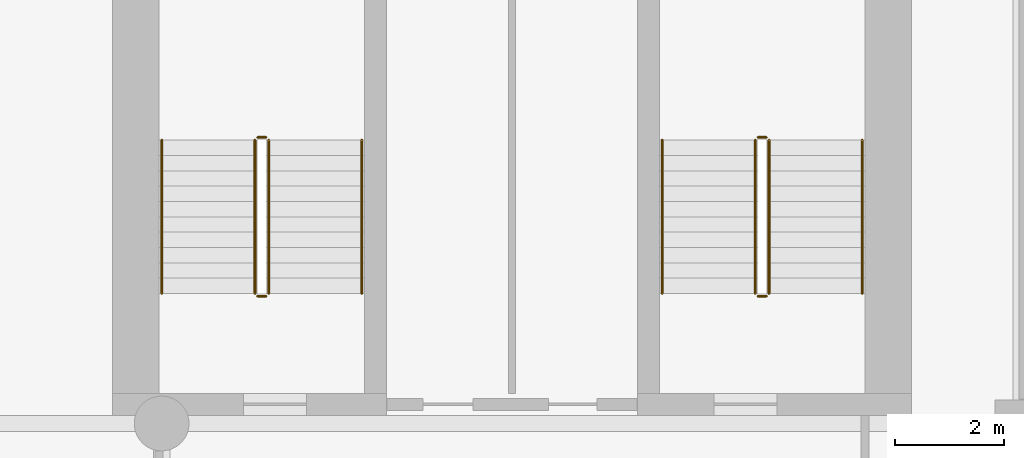
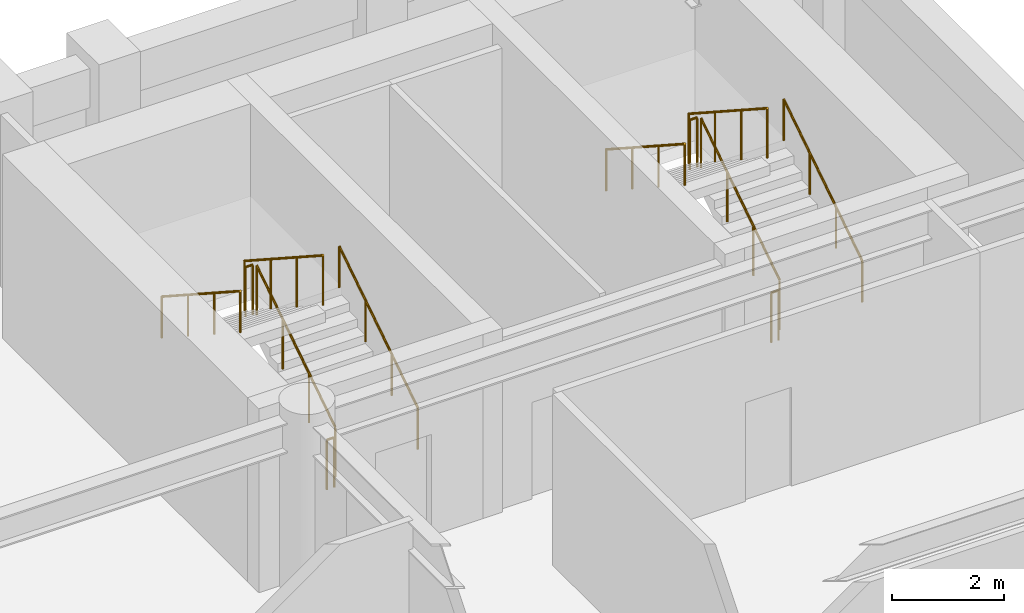
# One storey, part 8 of 8: 12 railings.
"""IFC4 building model written with IfcOpenShell, lengths in metres."""

import ifcopenshell
import ifcopenshell.guid

model = None  # the IFC model being written
_history = None  # IfcOwnerHistory: only IFC2X3 demands one
_inside = {}  # id of a spatial element -> (the spatial element, [elements in it])
_under = {}  # id of a project, library or spatial element -> (it, [spatial elements below it])
_declared = {}  # id of a project -> (the project, [libraries it declares])
_typed = {}  # id of a type object -> (the type object, [elements of that type])
_made_of = {}  # id of a material, layer set ... -> (it, [elements and type objects made of it])


def new_model(schema):
    """Start an empty IFC model of exactly this schema.

    Asked for "IFC4X3", IfcOpenShell would pick the latest addendum, in which some entities
    have other attributes; the version numbers below select the first issue.
    IFC2X3 requires an IfcOwnerHistory on every rooted entity: one is made here for all.
    """
    global model, _history
    if schema == "IFC4X3":
        model = ifcopenshell.file(schema_version=(4, 3, 0, 0))
    else:
        model = ifcopenshell.file(schema=schema)
    _inside.clear()
    _under.clear()
    _declared.clear()
    _typed.clear()
    _made_of.clear()
    _history = None
    if model.schema == "IFC2X3":
        org = make("IfcOrganization", Name="unknown")
        user = make(
            "IfcPersonAndOrganization",
            ThePerson=make("IfcPerson", FamilyName="unknown"),
            TheOrganization=org,
        )
        app = make(
            "IfcApplication",
            ApplicationDeveloper=org,
            Version="unknown",
            ApplicationFullName="unknown",
            ApplicationIdentifier="unknown",
        )
        _history = make(
            "IfcOwnerHistory",
            OwningUser=user,
            OwningApplication=app,
            ChangeAction="ADDED",
            CreationDate=0,
        )
    return model


def make(cls, **values):
    """One entity of the class cls with the attributes given. An attribute that is None is left unset."""
    return model.create_entity(
        cls, **{name: value for name, value in values.items() if value is not None}
    )


def rooted(cls, **values):
    """An entity with a GlobalId (a new one), such as an element, a storey or a relation."""
    return make(cls, GlobalId=ifcopenshell.guid.new(), OwnerHistory=_history, **values)


def si_unit(unit_type, name, prefix=None):
    """IfcSIUnit, for example si_unit("LENGTHUNIT", "METRE", prefix="MILLI")."""
    return make("IfcSIUnit", UnitType=unit_type, Prefix=prefix, Name=name)


def assignment(units):
    """IfcUnitAssignment: the units of a project."""
    return None if units is None else make("IfcUnitAssignment", Units=units)


def point(xyz):
    """IfcCartesianPoint."""
    return None if xyz is None else make("IfcCartesianPoint", Coordinates=xyz)


def direction(xyz):
    """IfcDirection."""
    return None if xyz is None else make("IfcDirection", DirectionRatios=xyz)


def frame(location, z_axis=None, x_axis=None):
    """IfcAxis2Placement3D, a coordinate frame: its origin and axes. An axis left out is left unset."""
    return make(
        "IfcAxis2Placement3D",
        Location=point(location),
        Axis=direction(z_axis),
        RefDirection=direction(x_axis),
    )


def frame_2d(location, x_axis=None):
    """IfcAxis2Placement2D, a coordinate frame in the plane: its origin and x axis."""
    return make(
        "IfcAxis2Placement2D", Location=point(location), RefDirection=direction(x_axis)
    )


def origin():
    """The frame at (0, 0, 0) with its axes left unset."""
    return frame((0.0, 0.0, 0.0))


def origin_2d():
    """The frame at (0, 0) in the plane with its x axis left unset."""
    return frame_2d((0.0, 0.0))


def place(relative_to, where):
    """IfcLocalPlacement: puts the frame where relative to a parent placement (None: the world)."""
    return make(
        "IfcLocalPlacement", PlacementRelTo=relative_to, RelativePlacement=where
    )


def context(
    kind, dimensions, precision=None, world=None, true_north=None, identifier=None
):
    """IfcGeometricRepresentationContext, for example the 3D "Model" context."""
    return make(
        "IfcGeometricRepresentationContext",
        ContextIdentifier=identifier,
        ContextType=kind,
        CoordinateSpaceDimension=dimensions,
        Precision=precision,
        WorldCoordinateSystem=world,
        TrueNorth=true_north,
    )


def subcontext(parent, identifier, kind, view, scale=None):
    """IfcGeometricRepresentationSubContext, for example "Body" below "Model"."""
    return make(
        "IfcGeometricRepresentationSubContext",
        ContextIdentifier=identifier,
        ContextType=kind,
        ParentContext=parent,
        TargetScale=scale,
        TargetView=view,
    )


def project(units=None, contexts=None):
    """IfcProject with its units and contexts."""
    return rooted(
        "IfcProject",
        Name="project",
        RepresentationContexts=contexts,
        UnitsInContext=assignment(units),
    )


def spatial(cls, under=None, at=None, **own):
    """A site, building, storey or space (cls), placed at a placement, below another one or the project."""
    s = rooted(cls, ObjectPlacement=at, **own)
    if under is not None:
        _under.setdefault(under.id(), (under, []))[1].append(s)
    return s


def profile(cls, at=None, kind="AREA", **sizes):
    """A parametric profile (cls). Its sizes go by their IFC names, for example OverallWidth=200.0."""
    return make(cls, ProfileType=kind, Position=at, **sizes)


def circle(**sizes):
    """IfcCircleProfileDef."""
    return profile("IfcCircleProfileDef", **sizes)


def extrude(swept, where, along, depth):
    """IfcExtrudedAreaSolid: the profile swept, set in the frame where, extruded along a direction by depth."""
    return make(
        "IfcExtrudedAreaSolid",
        SweptArea=swept,
        Position=where,
        ExtrudedDirection=direction(along),
        Depth=depth,
    )


def shape(context_of_items, identifier, shape_type, items):
    """IfcShapeRepresentation: the items that make up one representation, for example the "Body"."""
    return make(
        "IfcShapeRepresentation",
        ContextOfItems=context_of_items,
        RepresentationIdentifier=identifier,
        RepresentationType=shape_type,
        Items=items,
    )


def material(Name=None, Category=None):
    """IfcMaterial."""
    return make("IfcMaterial", Name=Name, Category=Category)


def made_of(thing, what):
    """Note that an element or type object is made of a material, layer set ...; save() writes the relation."""
    if what is not None:
        _made_of.setdefault(what.id(), (what, []))[1].append(thing)
    return thing


def type_object(cls, material=None, **own):
    """A type object (cls), such as IfcWallType, which elements share."""
    return made_of(rooted(cls, **own), material)


def element(
    cls,
    number,
    at=None,
    inside=None,
    cuts=None,
    type_object=None,
    material=None,
    context=None,
    identifier="Body",
    shape_type=None,
    held_by="IfcProductDefinitionShape",
    body=None,
    shapes=None,
    **own,
):
    """One element of the class cls, such as IfcWall. Its Tag is "e" and its number.

    at: its placement. inside: the storey or other place that contains it. cuts: it is an
    opening in that element (IfcRelVoidsElement). A single representation is given by context,
    identifier, shape_type and body (its items); several are given by shapes. held_by: the class
    of the entity that holds the representations. save() writes the other relations.
    """
    e = rooted(cls, Tag="e%d" % number, ObjectPlacement=at, **own)
    if body is not None:
        shapes = [shape(context, identifier, shape_type, body)]
    if shapes is not None:
        e.Representation = make(held_by, Representations=shapes)
    if inside is not None:
        _inside.setdefault(inside.id(), (inside, []))[1].append(e)
    if cuts is not None:
        rooted(
            "IfcRelVoidsElement", RelatingBuildingElement=cuts, RelatedOpeningElement=e
        )
    if type_object is not None:
        _typed.setdefault(type_object.id(), (type_object, []))[1].append(e)
    return made_of(e, material)


def aggregate(whole, parts):
    """IfcRelAggregates: a whole, such as a stair, and the parts it consists of."""
    return rooted("IfcRelAggregates", RelatingObject=whole, RelatedObjects=parts)


def save(model, path):
    """Write the relations noted so far, then the file.

    IfcRelAggregates (storeys below a building ...), IfcRelContainedInSpatialStructure (elements
    in a storey), IfcRelDefinesByType, IfcRelAssociatesMaterial and IfcRelDeclares: one each for
    every whole, place, type object, material and project.
    """
    for whole, parts in _under.values():
        aggregate(whole, parts)
    for where, things in _inside.values():
        rooted(
            "IfcRelContainedInSpatialStructure",
            RelatedElements=things,
            RelatingStructure=where,
        )
    for kind, things in _typed.values():
        rooted("IfcRelDefinesByType", RelatedObjects=things, RelatingType=kind)
    for what, things in _made_of.values():
        rooted("IfcRelAssociatesMaterial", RelatedObjects=things, RelatingMaterial=what)
    for by, libraries in _declared.values():
        rooted("IfcRelDeclares", RelatingContext=by, RelatedDefinitions=libraries)
    model.write(path)


model = new_model("IFC4")

# Units and contexts
model_context = context("Model", 3, precision=1e-05, world=origin(), true_north=direction((0.0, 1.0)))
body_context = subcontext(model_context, "Body", "Model", "MODEL_VIEW")
ifc_project = project(units=[si_unit("LENGTHUNIT", "METRE"), si_unit("AREAUNIT", "SQUARE_METRE"), si_unit("VOLUMEUNIT", "CUBIC_METRE"), si_unit("PLANEANGLEUNIT", "RADIAN"), si_unit("MASSUNIT", "GRAM", prefix="KILO")], contexts=[model_context])

# Site, building, storey
site_placement = place(None, origin())
site = spatial("IfcSite", under=ifc_project, at=site_placement, CompositionType="ELEMENT")
building_placement = place(site_placement, origin())
building = spatial("IfcBuilding", under=site, at=building_placement, Name="Sulina Concourse Tower", CompositionType="ELEMENT")
storey_placement = place(building_placement, frame((0.0, 0.0, 104.60009765625)))
storey = spatial("IfcBuildingStorey", under=building, at=storey_placement, Name="L25", CompositionType="ELEMENT", Elevation=104.60009765625)

# Railings
ifc_material_1 = material(Name="Galvanised steel railing", Category="steel")
railing_type_1 = type_object("IfcRailingType", Name="Core Stair Steel Guardrail 1150mm", PredefinedType="GUARDRAIL", material=ifc_material_1)
railing_1_placement = place(storey_placement, frame((43.554931640625, 36.375, 0.181640625)))
element("IfcRailing", 1, at=railing_1_placement, inside=storey, type_object=railing_type_1, Name="L25 ST-3 stair guard 1", PredefinedType="GUARDRAIL", context=body_context, shape_type="SweptSolid", body=[
    extrude(circle(Radius=0.02392578125, at=origin_2d()), frame((0.0, 0.0, 1.076171875), z_axis=(0.0, 0.838672427954, 0.544636170843), x_axis=(-1.0, 0.0, 0.0)), (0.0, 0.0, 1.0), 3.338623046875),
    extrude(circle(Radius=0.02099609375, at=origin_2d()), origin(), (0.0, 0.0, 1.0), 1.052001953125),
    extrude(circle(Radius=0.02099609375, at=origin_2d()), frame((0.0, 0.933349609375, 0.606201171875)), (0.0, 0.0, 1.0), 1.052001953125),
    extrude(circle(Radius=0.02099609375, at=origin_2d()), frame((0.0, 1.86669921875, 1.212158203125)), (0.0, 0.0, 1.0), 1.052001953125),
    extrude(circle(Radius=0.02099609375, at=origin_2d()), frame((0.0, 2.800048828125, 1.818359375)), (0.0, 0.0, 1.0), 1.052001953125),
])
railing_2_placement = place(storey_placement, frame((43.5048828125, 39.22509765625, 2.0)))
element("IfcRailing", 2, at=railing_2_placement, inside=storey, type_object=railing_type_1, Name="L25 ST-3 stair guard 2", PredefinedType="GUARDRAIL", context=body_context, shape_type="SweptSolid", body=[
    extrude(circle(Radius=0.02392578125, at=origin_2d()), frame((0.0, 0.0, 1.076171875), z_axis=(-1.0, 0.0, 0.0), x_axis=(0.0, -1.0, 0.0)), (0.0, 0.0, 1.0), 0.14990234375),
    extrude(circle(Radius=0.02099609375, at=origin_2d()), origin(), (0.0, 0.0, 1.0), 1.052001953125),
    extrude(circle(Radius=0.02099609375, at=origin_2d()), frame((-0.14990234375, 0.0, 0.0)), (0.0, 0.0, 1.0), 1.052001953125),
])
railing_3_placement = place(storey_placement, frame((43.304931640625, 39.175048828125, 2.181640625)))
element("IfcRailing", 3, at=railing_3_placement, inside=storey, type_object=railing_type_1, Name="L25 ST-3 stair guard 3", PredefinedType="GUARDRAIL", context=body_context, shape_type="SweptSolid", body=[
    extrude(circle(Radius=0.02392578125, at=origin_2d()), frame((0.0, 0.0, 1.076171875), z_axis=(0.0, -0.838672427954, 0.544636170843), x_axis=(1.0, 0.0, 0.0)), (0.0, 0.0, 1.0), 3.338623046875),
    extrude(circle(Radius=0.02099609375, at=origin_2d()), origin(), (0.0, 0.0, 1.0), 1.052001953125),
    extrude(circle(Radius=0.02099609375, at=origin_2d()), frame((0.0, -0.933349609375, 0.606201171875)), (0.0, 0.0, 1.0), 1.052001953125),
    extrude(circle(Radius=0.02099609375, at=origin_2d()), frame((0.0, -1.86669921875, 1.212158203125)), (0.0, 0.0, 1.0), 1.052001953125),
    extrude(circle(Radius=0.02099609375, at=origin_2d()), frame((0.0, -2.800048828125, 1.818359375)), (0.0, 0.0, 1.0), 1.052001953125),
])
railing_4_placement = place(storey_placement, frame((43.5048828125, 36.324951171875, 0.0)))
element("IfcRailing", 4, at=railing_4_placement, inside=storey, type_object=railing_type_1, Name="L25 ST-3 stair guard 4", PredefinedType="GUARDRAIL", context=body_context, shape_type="SweptSolid", body=[
    extrude(circle(Radius=0.02392578125, at=origin_2d()), frame((0.0, 0.0, 1.076171875), z_axis=(-1.0, 0.0, 0.0), x_axis=(0.0, -1.0, 0.0)), (0.0, 0.0, 1.0), 0.14990234375),
    extrude(circle(Radius=0.02099609375, at=origin_2d()), origin(), (0.0, 0.0, 1.0), 1.052001953125),
    extrude(circle(Radius=0.02099609375, at=origin_2d()), frame((-0.14990234375, 0.0, 0.0)), (0.0, 0.0, 1.0), 1.052001953125),
])
railing_5_placement = place(storey_placement, frame((52.695068359375, 36.375, 0.181640625)))
element("IfcRailing", 5, at=railing_5_placement, inside=storey, type_object=railing_type_1, Name="L25 ST-4 stair guard 1", PredefinedType="GUARDRAIL", context=body_context, shape_type="SweptSolid", body=[
    extrude(circle(Radius=0.02392578125, at=origin_2d()), frame((0.0, 0.0, 1.076171875), z_axis=(0.0, 0.838672427954, 0.544636170843), x_axis=(-1.0, 0.0, 0.0)), (0.0, 0.0, 1.0), 3.338623046875),
    extrude(circle(Radius=0.02099609375, at=origin_2d()), origin(), (0.0, 0.0, 1.0), 1.052001953125),
    extrude(circle(Radius=0.02099609375, at=origin_2d()), frame((0.0, 0.933349609375, 0.606201171875)), (0.0, 0.0, 1.0), 1.052001953125),
    extrude(circle(Radius=0.02099609375, at=origin_2d()), frame((0.0, 1.86669921875, 1.212158203125)), (0.0, 0.0, 1.0), 1.052001953125),
    extrude(circle(Radius=0.02099609375, at=origin_2d()), frame((0.0, 2.800048828125, 1.818359375)), (0.0, 0.0, 1.0), 1.052001953125),
])
railing_6_placement = place(storey_placement, frame((52.64501953125, 39.22509765625, 2.0)))
element("IfcRailing", 6, at=railing_6_placement, inside=storey, type_object=railing_type_1, Name="L25 ST-4 stair guard 2", PredefinedType="GUARDRAIL", context=body_context, shape_type="SweptSolid", body=[
    extrude(circle(Radius=0.02392578125, at=origin_2d()), frame((0.0, 0.0, 1.076171875), z_axis=(-1.0, 0.0, 0.0), x_axis=(0.0, -1.0, 0.0)), (0.0, 0.0, 1.0), 0.14990234375),
    extrude(circle(Radius=0.02099609375, at=origin_2d()), origin(), (0.0, 0.0, 1.0), 1.052001953125),
    extrude(circle(Radius=0.02099609375, at=origin_2d()), frame((-0.14990234375, 0.0, 0.0)), (0.0, 0.0, 1.0), 1.052001953125),
])
railing_7_placement = place(storey_placement, frame((52.445068359375, 39.175048828125, 2.181640625)))
element("IfcRailing", 7, at=railing_7_placement, inside=storey, type_object=railing_type_1, Name="L25 ST-4 stair guard 3", PredefinedType="GUARDRAIL", context=body_context, shape_type="SweptSolid", body=[
    extrude(circle(Radius=0.02392578125, at=origin_2d()), frame((0.0, 0.0, 1.076171875), z_axis=(0.0, -0.838672427954, 0.544636170843), x_axis=(1.0, 0.0, 0.0)), (0.0, 0.0, 1.0), 3.338623046875),
    extrude(circle(Radius=0.02099609375, at=origin_2d()), origin(), (0.0, 0.0, 1.0), 1.052001953125),
    extrude(circle(Radius=0.02099609375, at=origin_2d()), frame((0.0, -0.933349609375, 0.606201171875)), (0.0, 0.0, 1.0), 1.052001953125),
    extrude(circle(Radius=0.02099609375, at=origin_2d()), frame((0.0, -1.86669921875, 1.212158203125)), (0.0, 0.0, 1.0), 1.052001953125),
    extrude(circle(Radius=0.02099609375, at=origin_2d()), frame((0.0, -2.800048828125, 1.818359375)), (0.0, 0.0, 1.0), 1.052001953125),
])
railing_8_placement = place(storey_placement, frame((52.64501953125, 36.324951171875, 0.0)))
element("IfcRailing", 8, at=railing_8_placement, inside=storey, type_object=railing_type_1, Name="L25 ST-4 stair guard 4", PredefinedType="GUARDRAIL", context=body_context, shape_type="SweptSolid", body=[
    extrude(circle(Radius=0.02392578125, at=origin_2d()), frame((0.0, 0.0, 1.076171875), z_axis=(-1.0, 0.0, 0.0), x_axis=(0.0, -1.0, 0.0)), (0.0, 0.0, 1.0), 0.14990234375),
    extrude(circle(Radius=0.02099609375, at=origin_2d()), origin(), (0.0, 0.0, 1.0), 1.052001953125),
    extrude(circle(Radius=0.02099609375, at=origin_2d()), frame((-0.14990234375, 0.0, 0.0)), (0.0, 0.0, 1.0), 1.052001953125),
])
ifc_material_2 = material(Name="Galvanised steel railing", Category="steel")
railing_type_2 = type_object("IfcRailingType", Name="Stair Wall Steel Handrail 920mm", PredefinedType="HANDRAIL", material=ifc_material_2)
railing_9_placement = place(storey_placement, frame((45.2548828125, 36.375, 0.181640625)))
element("IfcRailing", 9, at=railing_9_placement, inside=storey, type_object=railing_type_2, Name="L25 ST-3 stair handrail 1", PredefinedType="HANDRAIL", context=body_context, shape_type="SweptSolid", body=[
    extrude(circle(Radius=0.02392578125, at=origin_2d()), frame((0.0, 0.0, 0.89599609375), z_axis=(0.0, 0.838672427954, 0.544636170843), x_axis=(-1.0, 0.0, 0.0)), (0.0, 0.0, 1.0), 3.338623046875),
    extrude(circle(Radius=0.02099609375, at=origin_2d()), origin(), (0.0, 0.0, 1.0), 0.871826171875),
    extrude(circle(Radius=0.02099609375, at=origin_2d()), frame((0.0, 0.933349609375, 0.606201171875)), (0.0, 0.0, 1.0), 0.871826171875),
    extrude(circle(Radius=0.02099609375, at=origin_2d()), frame((0.0, 1.86669921875, 1.212158203125)), (0.0, 0.0, 1.0), 0.871826171875),
    extrude(circle(Radius=0.02099609375, at=origin_2d()), frame((0.0, 2.800048828125, 1.818359375)), (0.0, 0.0, 1.0), 0.871826171875),
])
railing_10_placement = place(storey_placement, frame((41.60498046875, 39.175048828125, 2.181640625)))
element("IfcRailing", 10, at=railing_10_placement, inside=storey, type_object=railing_type_2, Name="L25 ST-3 stair handrail 2", PredefinedType="HANDRAIL", context=body_context, shape_type="SweptSolid", body=[
    extrude(circle(Radius=0.02392578125, at=origin_2d()), frame((0.0, 0.0, 0.89599609375), z_axis=(0.0, -0.838672427954, 0.544636170843), x_axis=(1.0, 0.0, 0.0)), (0.0, 0.0, 1.0), 3.338623046875),
    extrude(circle(Radius=0.02099609375, at=origin_2d()), origin(), (0.0, 0.0, 1.0), 0.871826171875),
    extrude(circle(Radius=0.02099609375, at=origin_2d()), frame((0.0, -0.933349609375, 0.606201171875)), (0.0, 0.0, 1.0), 0.871826171875),
    extrude(circle(Radius=0.02099609375, at=origin_2d()), frame((0.0, -1.86669921875, 1.212158203125)), (0.0, 0.0, 1.0), 0.871826171875),
    extrude(circle(Radius=0.02099609375, at=origin_2d()), frame((0.0, -2.800048828125, 1.818359375)), (0.0, 0.0, 1.0), 0.871826171875),
])
railing_11_placement = place(storey_placement, frame((54.39501953125, 36.375, 0.181640625)))
element("IfcRailing", 11, at=railing_11_placement, inside=storey, type_object=railing_type_2, Name="L25 ST-4 stair handrail 1", PredefinedType="HANDRAIL", context=body_context, shape_type="SweptSolid", body=[
    extrude(circle(Radius=0.02392578125, at=origin_2d()), frame((0.0, 0.0, 0.89599609375), z_axis=(0.0, 0.838672427954, 0.544636170843), x_axis=(-1.0, 0.0, 0.0)), (0.0, 0.0, 1.0), 3.338623046875),
    extrude(circle(Radius=0.02099609375, at=origin_2d()), origin(), (0.0, 0.0, 1.0), 0.871826171875),
    extrude(circle(Radius=0.02099609375, at=origin_2d()), frame((0.0, 0.933349609375, 0.606201171875)), (0.0, 0.0, 1.0), 0.871826171875),
    extrude(circle(Radius=0.02099609375, at=origin_2d()), frame((0.0, 1.86669921875, 1.212158203125)), (0.0, 0.0, 1.0), 0.871826171875),
    extrude(circle(Radius=0.02099609375, at=origin_2d()), frame((0.0, 2.800048828125, 1.818359375)), (0.0, 0.0, 1.0), 0.871826171875),
])
railing_12_placement = place(storey_placement, frame((50.7451171875, 39.175048828125, 2.181640625)))
element("IfcRailing", 12, at=railing_12_placement, inside=storey, type_object=railing_type_2, Name="L25 ST-4 stair handrail 2", PredefinedType="HANDRAIL", context=body_context, shape_type="SweptSolid", body=[
    extrude(circle(Radius=0.02392578125, at=origin_2d()), frame((0.0, 0.0, 0.89599609375), z_axis=(0.0, -0.838672427954, 0.544636170843), x_axis=(1.0, 0.0, 0.0)), (0.0, 0.0, 1.0), 3.338623046875),
    extrude(circle(Radius=0.02099609375, at=origin_2d()), origin(), (0.0, 0.0, 1.0), 0.871826171875),
    extrude(circle(Radius=0.02099609375, at=origin_2d()), frame((0.0, -0.933349609375, 0.606201171875)), (0.0, 0.0, 1.0), 0.871826171875),
    extrude(circle(Radius=0.02099609375, at=origin_2d()), frame((0.0, -1.86669921875, 1.212158203125)), (0.0, 0.0, 1.0), 0.871826171875),
    extrude(circle(Radius=0.02099609375, at=origin_2d()), frame((0.0, -2.800048828125, 1.818359375)), (0.0, 0.0, 1.0), 0.871826171875),
])

save(model, "model.ifc")
